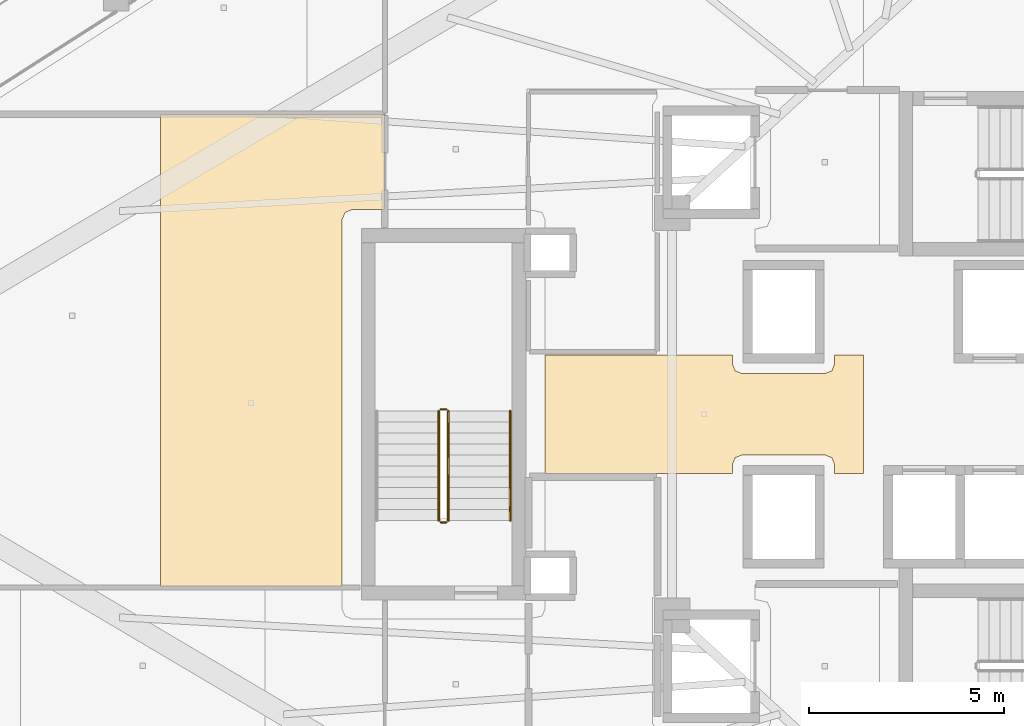
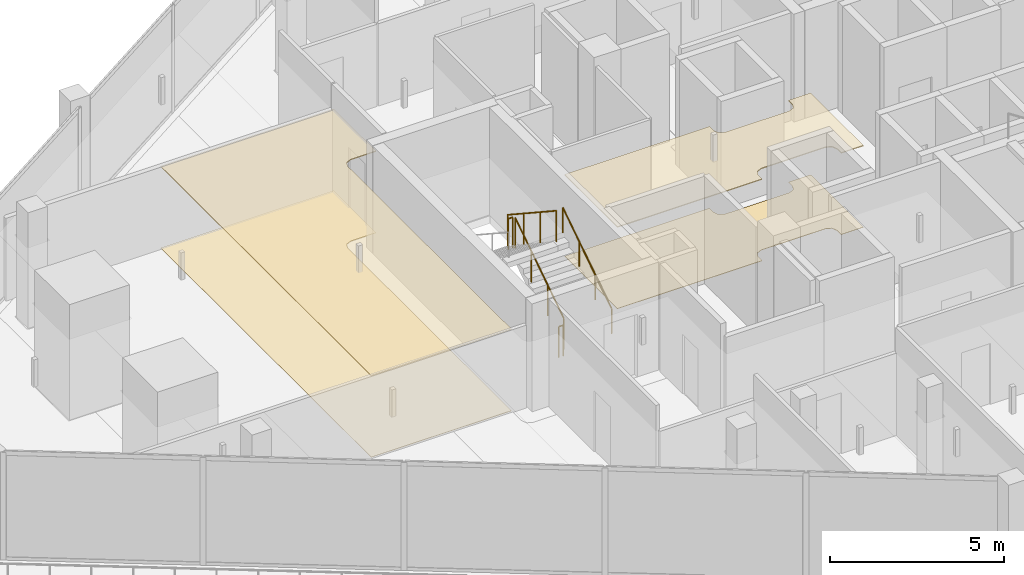
# One storey, part 32 of 37: 5 railings, 4 coverings.
"""IFC4 building model written with IfcOpenShell, lengths in metres."""

from ifc_helpers import new_model, si_unit, direction, frame, origin, origin_2d, place, context, subcontext, project, spatial, polyline, circle, outline, extrude, material, layer, layer_set, type_object, element, save


model = new_model("IFC4")

# Units and contexts
model_context = context("Model", 3, precision=1e-05, world=origin(), true_north=direction((0.0, 1.0)))
body_context = subcontext(model_context, "Body", "Model", "MODEL_VIEW")
ifc_project = project(units=[si_unit("LENGTHUNIT", "METRE"), si_unit("AREAUNIT", "SQUARE_METRE"), si_unit("VOLUMEUNIT", "CUBIC_METRE"), si_unit("PLANEANGLEUNIT", "RADIAN"), si_unit("MASSUNIT", "GRAM", prefix="KILO")], contexts=[model_context])

# Site, building, storey
site_placement = place(None, origin())
site = spatial("IfcSite", under=ifc_project, at=site_placement, CompositionType="ELEMENT")
building_placement = place(site_placement, origin())
building = spatial("IfcBuilding", under=site, at=building_placement, Name="Qorvath Tower", CompositionType="ELEMENT")
storey_placement = place(building_placement, frame((0.0, 0.0, 184.800048828125)))
storey = spatial("IfcBuildingStorey", under=building, at=storey_placement, Name="L42", CompositionType="ELEMENT", Elevation=184.800048828125)

# Coverings
ifc_material_1 = material(Name="Acoustic mineral fibre ceiling tile", Category="gypsum")
ifc_layer_1 = layer(ifc_material_1, 0.030029296875)
ifc_layer_set_1 = layer_set([ifc_layer_1], Name="COV-CEIL")
covering_type_1 = type_object("IfcCoveringType", Name="COV-CEIL", PredefinedType="CEILING", material=ifc_layer_set_1)
covering_1_placement = place(storey_placement, frame((0.0, 0.0, 2.849853515625)))
element("IfcCovering", 1, at=covering_1_placement, inside=storey, type_object=covering_type_1, Name="L42 Suspended Acoustic Ceiling 008", PredefinedType="CEILING", context=body_context, shape_type="SweptSolid", body=[
    extrude(outline(polyline([(-25.6044921875, -1.514892578125), (-25.6044921875, 1.514892578125), (-26.340087890625, 1.514892578125), (-26.340087890625, 1.2900390625), (-26.413330078125, 1.11328125), (-26.590087890625, 1.0400390625), (-28.7099609375, 1.0400390625), (-28.88671875, 1.11328125), (-28.9599609375, 1.2900390625), (-28.9599609375, 1.514892578125), (-33.760009765625, 1.514892578125), (-33.760009765625, -1.514892578125), (-28.9599609375, -1.514892578125), (-28.9599609375, -1.2900390625), (-28.88671875, -1.11328125), (-28.7099609375, -1.0400390625), (-26.590087890625, -1.0400390625), (-26.413330078125, -1.11328125), (-26.340087890625, -1.2900390625), (-26.340087890625, -1.514892578125), (-25.6044921875, -1.514892578125)])), origin(), (0.0, 0.0, 1.0), 0.030029296875),
])
covering_2_placement = place(storey_placement, frame((0.0, 0.0, 2.849853515625)))
element("IfcCovering", 2, at=covering_2_placement, inside=storey, type_object=covering_type_1, Name="L42 Suspended Acoustic Ceiling 041", PredefinedType="CEILING", context=body_context, shape_type="SweptSolid", body=[
    extrude(outline(polyline([(-37.863037109375, 5.239990234375), (-37.863037109375, 7.675048828125), (-43.599609375, 7.675048828125), (-43.599609375, -4.421142578125), (-38.949951171875, -4.421142578125), (-38.949951171875, 4.989990234375), (-38.876708984375, 5.166748046875), (-38.699951171875, 5.239990234375), (-37.863037109375, 5.239990234375)])), origin(), (0.0, 0.0, 1.0), 0.030029296875),
])
ifc_material_2 = material(Name="Low-VOC modular carpet tile", Category="textile")
ifc_layer_2 = layer(ifc_material_2, 0.014892578125)
ifc_layer_set_2 = layer_set([ifc_layer_2], Name="COV-FLOOR-CPT")
covering_type_2 = type_object("IfcCoveringType", Name="COV-FLOOR-CPT", PredefinedType="FLOORING", material=ifc_layer_set_2)
covering_3_placement = place(storey_placement, origin())
element("IfcCovering", 3, at=covering_3_placement, inside=storey, type_object=covering_type_2, Name="L42 Floor Finish 041", PredefinedType="FLOORING", context=body_context, shape_type="SweptSolid", body=[
    extrude(outline(polyline([(-37.863037109375, 5.239990234375), (-37.863037109375, 7.675048828125), (-43.599609375, 7.675048828125), (-43.599609375, -4.421142578125), (-38.949951171875, -4.421142578125), (-38.949951171875, 4.989990234375), (-38.876708984375, 5.166748046875), (-38.699951171875, 5.239990234375), (-37.863037109375, 5.239990234375)])), origin(), (0.0, 0.0, 1.0), 0.014892578125),
])
ifc_material_3 = material(Name="Polished epoxy terrazzo flooring", Category="concrete")
ifc_layer_3 = layer(ifc_material_3, 0.02001953125)
ifc_layer_set_3 = layer_set([ifc_layer_3], Name="COV-FLOOR-TRZ")
covering_type_3 = type_object("IfcCoveringType", Name="COV-FLOOR-TRZ", PredefinedType="FLOORING", material=ifc_layer_set_3)
covering_4_placement = place(storey_placement, origin())
element("IfcCovering", 4, at=covering_4_placement, inside=storey, type_object=covering_type_3, Name="L42 Floor Finish 008", PredefinedType="FLOORING", context=body_context, shape_type="SweptSolid", body=[
    extrude(outline(polyline([(-25.6044921875, -1.514892578125), (-25.6044921875, 1.514892578125), (-26.340087890625, 1.514892578125), (-26.340087890625, 1.2900390625), (-26.413330078125, 1.11328125), (-26.590087890625, 1.0400390625), (-28.7099609375, 1.0400390625), (-28.88671875, 1.11328125), (-28.9599609375, 1.2900390625), (-28.9599609375, 1.514892578125), (-33.760009765625, 1.514892578125), (-33.760009765625, -1.514892578125), (-28.9599609375, -1.514892578125), (-28.9599609375, -1.2900390625), (-28.88671875, -1.11328125), (-28.7099609375, -1.0400390625), (-26.590087890625, -1.0400390625), (-26.413330078125, -1.11328125), (-26.340087890625, -1.2900390625), (-26.340087890625, -1.514892578125), (-25.6044921875, -1.514892578125)])), origin(), (0.0, 0.0, 1.0), 0.014892578125),
])

# Railings
ifc_material_4 = material(Name="Painted galvanised steel", Category="steel")
railing_type_1 = type_object("IfcRailingType", Name="RL-STR-GRD", PredefinedType="GUARDRAIL", material=ifc_material_4)
railing_1_placement = place(storey_placement, frame((-36.22998046875, -2.719970703125, 0.18408203125)))
element("IfcRailing", 5, at=railing_1_placement, inside=storey, type_object=railing_type_1, Name="L42 TS3 stair guard 1", PredefinedType="GUARDRAIL", context=body_context, shape_type="SweptSolid", body=[
    extrude(circle(Radius=0.02392578125, at=origin_2d()), frame((0.0, 0.0, 1.076171875), z_axis=(0.0, 0.835597507184, 0.549342157483), x_axis=(-1.0, 0.0, 0.0)), (0.0, 0.0, 1.0), 3.35107421875),
    extrude(circle(Radius=0.02099609375, at=origin_2d()), origin(), (0.0, 0.0, 1.0), 1.052001953125),
    extrude(circle(Radius=0.02099609375, at=origin_2d()), frame((0.0, 0.933349609375, 0.613525390625)), (0.0, 0.0, 1.0), 1.052001953125),
    extrude(circle(Radius=0.02099609375, at=origin_2d()), frame((0.0, 1.86669921875, 1.227294921875)), (0.0, 0.0, 1.0), 1.052001953125),
    extrude(circle(Radius=0.02099609375, at=origin_2d()), frame((0.0, 2.800048828125, 1.8408203125)), (0.0, 0.0, 1.0), 1.052001953125),
])
railing_2_placement = place(storey_placement, frame((-36.280029296875, 0.1298828125, 2.02490234375)))
element("IfcRailing", 6, at=railing_2_placement, inside=storey, type_object=railing_type_1, Name="L42 TS3 stair guard 2", PredefinedType="GUARDRAIL", context=body_context, shape_type="SweptSolid", body=[
    extrude(circle(Radius=0.02392578125, at=origin_2d()), frame((0.0, 0.0, 1.076171875), z_axis=(-1.0, 0.0, 0.0), x_axis=(0.0, -1.0, 0.0)), (0.0, 0.0, 1.0), 0.14990234375),
    extrude(circle(Radius=0.02099609375, at=origin_2d()), origin(), (0.0, 0.0, 1.0), 1.052001953125),
    extrude(circle(Radius=0.02099609375, at=origin_2d()), frame((-0.14990234375, 0.0, 0.0)), (0.0, 0.0, 1.0), 1.052001953125),
])
railing_3_placement = place(storey_placement, frame((-36.47998046875, 0.080078125, 2.208984375)))
element("IfcRailing", 7, at=railing_3_placement, inside=storey, type_object=railing_type_1, Name="L42 TS3 stair guard 3", PredefinedType="GUARDRAIL", context=body_context, shape_type="SweptSolid", body=[
    extrude(circle(Radius=0.02392578125, at=origin_2d()), frame((0.0, 0.0, 1.076171875), z_axis=(0.0, -0.83556406348, 0.549393024911), x_axis=(1.0, 0.0, 0.0)), (0.0, 0.0, 1.0), 3.35107421875),
    extrude(circle(Radius=0.02099609375, at=origin_2d()), origin(), (0.0, 0.0, 1.0), 1.052001953125),
    extrude(circle(Radius=0.02099609375, at=origin_2d()), frame((0.0, -0.933349609375, 0.61376953125)), (0.0, 0.0, 1.0), 1.052001953125),
    extrude(circle(Radius=0.02099609375, at=origin_2d()), frame((0.0, -1.86669921875, 1.227294921875)), (0.0, 0.0, 1.0), 1.052001953125),
    extrude(circle(Radius=0.02099609375, at=origin_2d()), frame((0.0, -2.800048828125, 1.841064453125)), (0.0, 0.0, 1.0), 1.052001953125),
])
railing_4_placement = place(storey_placement, frame((-36.280029296875, -2.77001953125, 0.0)))
element("IfcRailing", 8, at=railing_4_placement, inside=storey, type_object=railing_type_1, Name="L42 TS3 stair guard 4", PredefinedType="GUARDRAIL", context=body_context, shape_type="SweptSolid", body=[
    extrude(circle(Radius=0.02392578125, at=origin_2d()), frame((0.0, 0.0, 1.076171875), z_axis=(-1.0, 0.0, 0.0), x_axis=(0.0, -1.0, 0.0)), (0.0, 0.0, 1.0), 0.14990234375),
    extrude(circle(Radius=0.02099609375, at=origin_2d()), origin(), (0.0, 0.0, 1.0), 1.052001953125),
    extrude(circle(Radius=0.02099609375, at=origin_2d()), frame((-0.14990234375, 0.0, 0.0)), (0.0, 0.0, 1.0), 1.052001953125),
])
ifc_material_5 = material(Name="Brushed stainless steel AISI 304", Category="steel")
railing_type_2 = type_object("IfcRailingType", Name="RL-STR-HND", PredefinedType="HANDRAIL", material=ifc_material_5)
railing_5_placement = place(storey_placement, frame((-34.64990234375, -2.719970703125, 0.18408203125)))
element("IfcRailing", 9, at=railing_5_placement, inside=storey, type_object=railing_type_2, Name="L42 TS3 stair handrail 1", PredefinedType="HANDRAIL", context=body_context, shape_type="SweptSolid", body=[
    extrude(circle(Radius=0.02392578125, at=origin_2d()), frame((0.0, 0.0, 0.8759765625), z_axis=(0.0, 0.835597507184, 0.549342157483), x_axis=(-1.0, 0.0, 0.0)), (0.0, 0.0, 1.0), 3.35107421875),
    extrude(circle(Radius=0.02099609375, at=origin_2d()), origin(), (0.0, 0.0, 1.0), 0.851806640625),
    extrude(circle(Radius=0.02099609375, at=origin_2d()), frame((0.0, 0.933349609375, 0.613525390625)), (0.0, 0.0, 1.0), 0.851806640625),
    extrude(circle(Radius=0.02099609375, at=origin_2d()), frame((0.0, 1.86669921875, 1.227294921875)), (0.0, 0.0, 1.0), 0.851806640625),
    extrude(circle(Radius=0.02099609375, at=origin_2d()), frame((0.0, 2.800048828125, 1.8408203125)), (0.0, 0.0, 1.0), 0.851806640625),
])

save(model, "model.ifc")
